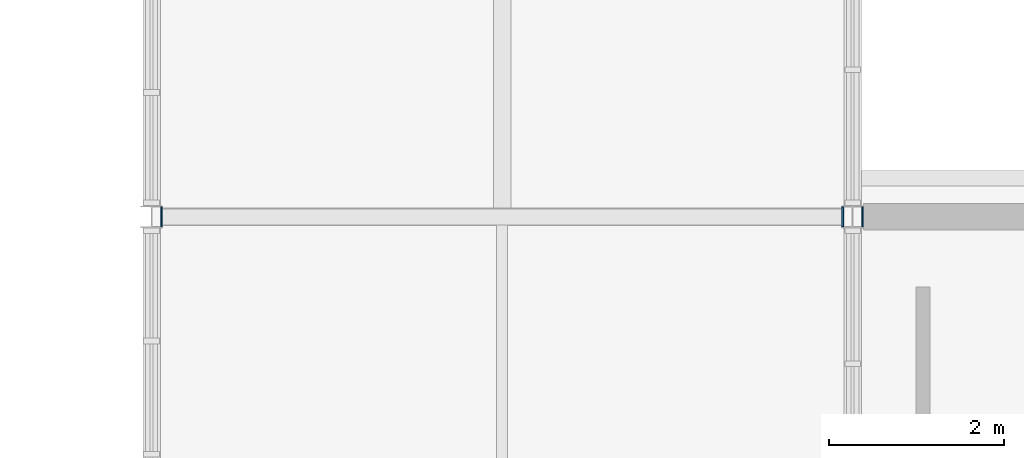
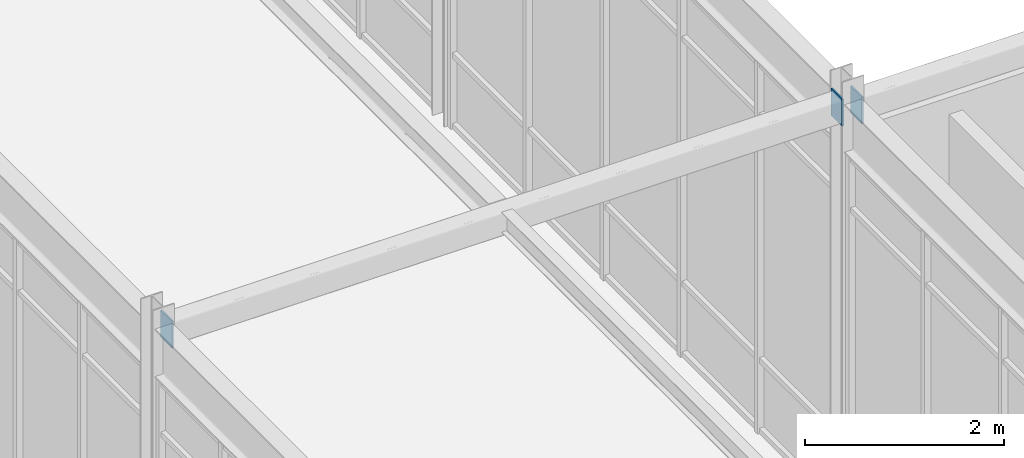
# One storey, part 129 of 184: 3 plates.
"""IFC4 building model written with IfcOpenShell, lengths in metres."""

from ifc_helpers import new_model, si_unit, direction, frame, origin, origin_2d, place, context, subcontext, project, spatial, rectangle, extrude, material, layer, layer_set, type_object, element, save


model = new_model("IFC4")

# Units and contexts
model_context = context("Model", 3, precision=1e-05, world=origin(), true_north=direction((0.0, 1.0)))
body_context = subcontext(model_context, "Body", "Model", "MODEL_VIEW")
ifc_project = project(units=[si_unit("LENGTHUNIT", "METRE"), si_unit("AREAUNIT", "SQUARE_METRE"), si_unit("VOLUMEUNIT", "CUBIC_METRE"), si_unit("PLANEANGLEUNIT", "RADIAN"), si_unit("MASSUNIT", "GRAM", prefix="KILO")], contexts=[model_context])

# Site, building, storey
site_placement = place(None, origin())
site = spatial("IfcSite", under=ifc_project, at=site_placement, CompositionType="ELEMENT")
building_placement = place(site_placement, origin())
building = spatial("IfcBuilding", under=site, at=building_placement, Name="Zhaolan Boulevard Law Courts", CompositionType="ELEMENT")
storey_placement = place(building_placement, frame((0.0, 0.0, 5.39990234375)))
storey = spatial("IfcBuildingStorey", under=building, at=storey_placement, Name="L01", CompositionType="ELEMENT", Elevation=5.39990234375)

# Plates
ifc_material = material(Name="Structural steel Q355B", Category="steel")
ifc_layer = layer(ifc_material, 0.02001953125)
ifc_layer_set = layer_set([ifc_layer])
plate_type = type_object("IfcPlateType", Name="END CAP PLATE 20", PredefinedType="SHEET", material=ifc_layer_set)
for number, where, z_axis, x_axis, name in (
    (1, (116.113037109375, 46.0, 4.85302734375), (0.0, 0.0, 1.0), (1.0, 0.0, 0.0), "Hollow Section End-Cap Plate ECP-0769"),
    (2, (123.886962890625, 46.0, 4.85302734375), (0.0, 0.0, 1.0), (1.0, 0.0, 0.0), "Hollow Section End-Cap Plate ECP-0770"),
    (3, (124.113037109375, 46.0, 4.802978515625), (0.0, 0.0, 1.0), (1.0, 0.0, 0.0), "Hollow Section End-Cap Plate ECP-0771"),
):
    element("IfcPlate", number, at=place(storey_placement, frame(where, z_axis=z_axis, x_axis=x_axis)), inside=storey, type_object=plate_type, Name=name, PredefinedType="SHEET", context=body_context, shape_type="SweptSolid", body=[
        extrude(rectangle(XDim=0.02001953125, YDim=0.22998046875, at=origin_2d()), origin(), (0.0, 0.0, 1.0), 0.330078125),
    ])

save(model, "model.ifc")
